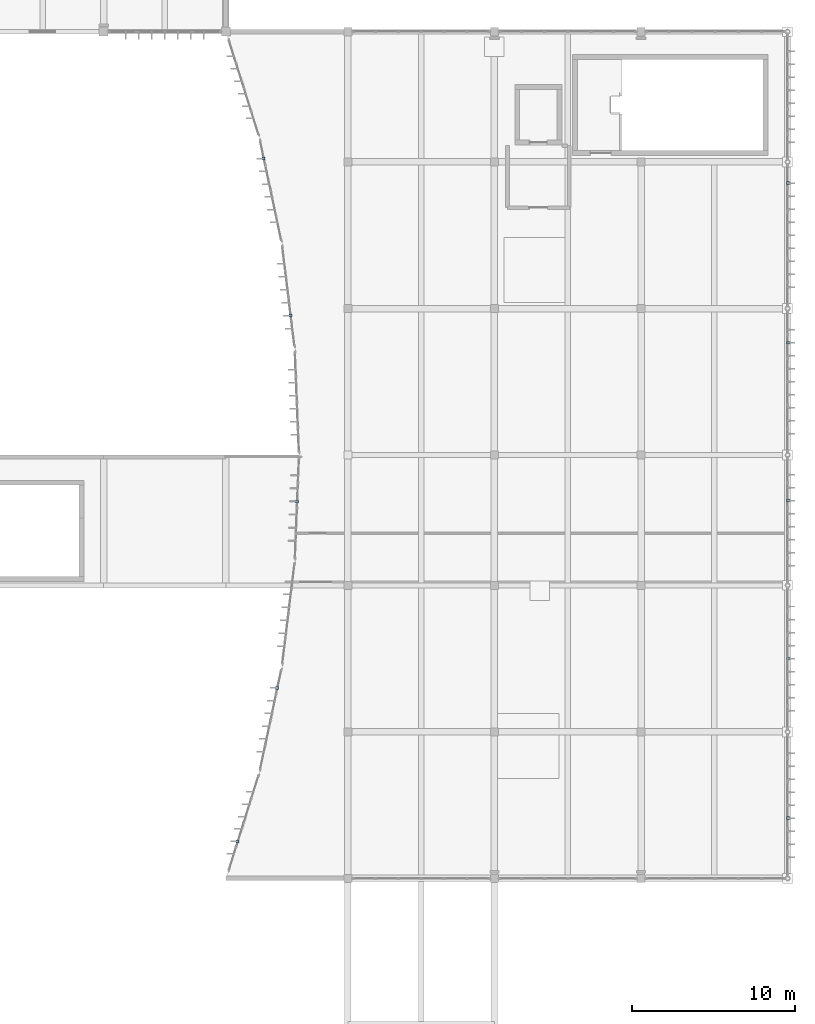
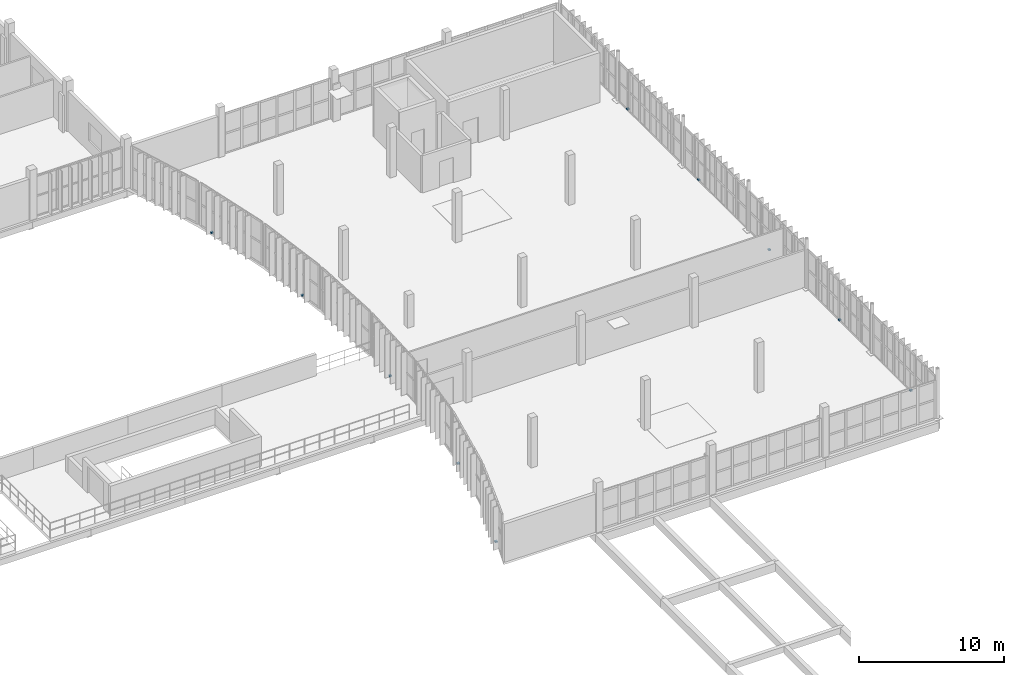
# One storey, part 50 of 61: 10 discrete accessories.
"""IFC4 building model written with IfcOpenShell, lengths in metres."""

from ifc_helpers import new_model, si_unit, direction, frame, origin, origin_2d, place, context, subcontext, project, spatial, rectangle, extrude, material, type_object, element, save


model = new_model("IFC4")

# Units and contexts
model_context = context("Model", 3, precision=1e-05, world=origin(), true_north=direction((0.0, 1.0)))
body_context = subcontext(model_context, "Body", "Model", "MODEL_VIEW")
ifc_project = project(units=[si_unit("LENGTHUNIT", "METRE"), si_unit("AREAUNIT", "SQUARE_METRE"), si_unit("VOLUMEUNIT", "CUBIC_METRE"), si_unit("PLANEANGLEUNIT", "RADIAN"), si_unit("MASSUNIT", "GRAM", prefix="KILO")], contexts=[model_context])

# Site, building, storey
site_placement = place(None, origin())
site = spatial("IfcSite", under=ifc_project, at=site_placement, CompositionType="ELEMENT")
building_placement = place(site_placement, origin())
building = spatial("IfcBuilding", under=site, at=building_placement, Name="Vourika Railside Aquatics Centre", CompositionType="ELEMENT")
storey_placement = place(building_placement, frame((0.0, 0.0, 9.300048828125)))
storey = spatial("IfcBuildingStorey", under=building, at=storey_placement, Name="L02", CompositionType="ELEMENT", Elevation=9.300048828125)

# Discrete accessories
ifc_material = material(Name="Duplex stainless steel EN 1.4462", Category="steel")
discrete_accessory_type = type_object("IfcDiscreteAccessoryType", Name="ACC-BRK-180", PredefinedType="BRACKET", material=ifc_material)
for number, where, z_axis, x_axis, name in (
    (1, (134.214599609375, 42.275390625, 0.0), (0.0, 0.0, 1.0), (-1.0, 0.0, 0.0), "Stainless Fin Shoe Bracket BK-051"),
    (2, (136.647216796875, 51.706298828125, 0.0), (0.0, 0.0, 1.0), (-1.0, 0.0, 0.0), "Stainless Fin Shoe Bracket BK-052"),
    (3, (137.861572265625, 63.149658203125, 0.0), (0.0, 0.0, 1.0), (-1.0, 0.0, 0.0), "Stainless Fin Shoe Bracket BK-053"),
    (4, (137.464111328125, 74.558837890625, 0.0), (0.0, 0.0, 1.0), (-1.0, 0.0, 0.0), "Stainless Fin Shoe Bracket BK-054"),
    (5, (135.81689453125, 84.206298828125, 0.0), (0.0, 0.0, 1.0), (-1.0, 0.0, 0.0), "Stainless Fin Shoe Bracket BK-055"),
    (6, (168.030029296875, 43.699951171875, 0.0), (0.0, 0.0, 1.0), (1.0, 0.0, 0.0), "Stainless Fin Shoe Bracket BK-056"),
    (7, (168.030029296875, 53.5, 0.0), (0.0, 0.0, 1.0), (1.0, 0.0, 0.0), "Stainless Fin Shoe Bracket BK-057"),
    (8, (168.030029296875, 63.199951171875, 0.0), (0.0, 0.0, 1.0), (1.0, 0.0, 0.0), "Stainless Fin Shoe Bracket BK-058"),
    (9, (168.030029296875, 72.89990234375, 0.0), (0.0, 0.0, 1.0), (1.0, 0.0, 0.0), "Stainless Fin Shoe Bracket BK-059"),
    (10, (168.030029296875, 82.699951171875, 0.0), (0.0, 0.0, 1.0), (1.0, 0.0, 0.0), "Stainless Fin Shoe Bracket BK-060"),
):
    element("IfcDiscreteAccessory", number, at=place(storey_placement, frame(where, z_axis=z_axis, x_axis=x_axis)), inside=storey, type_object=discrete_accessory_type, Name=name, PredefinedType="BRACKET", context=body_context, shape_type="SweptSolid", body=[
        extrude(rectangle(XDim=0.179931640625, YDim=0.179931640625, at=origin_2d()), origin(), (0.0, 0.0, 1.0), 0.1201171875),
    ])

save(model, "model.ifc")
